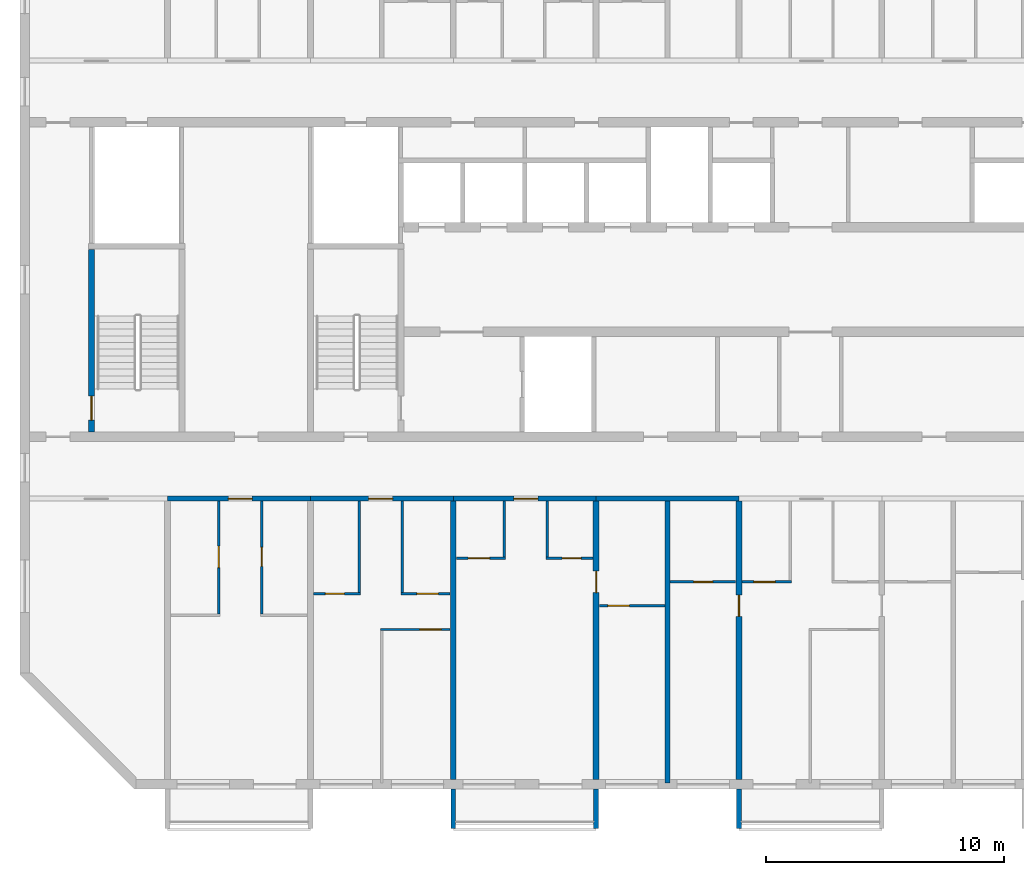
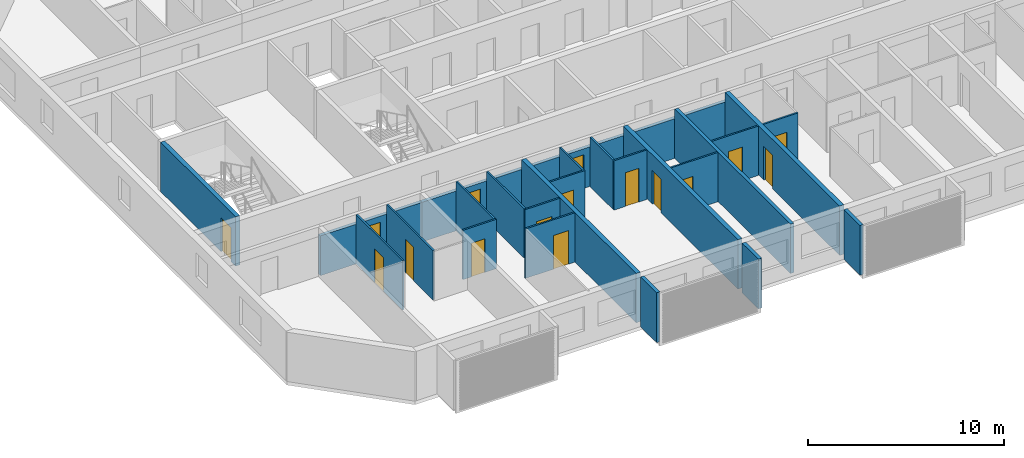
# One storey, part 2 of 26: 26 walls, 16 doors, 16 openings.
"""IFC4 building model written with IfcOpenShell, lengths in metres."""

from ifc_helpers import new_model, si_unit, direction, frame, frame_2d, origin, place, context, subcontext, project, spatial, polyline, rectangle, outline, extrude, source, transform, mapped, material, layer, layer_set, type_object, element, fill, save


model = new_model("IFC4")

# Units and contexts
model_context = context("Model", 3, precision=1e-05, world=origin(), true_north=direction((0.0, 1.0)))
body_context = subcontext(model_context, "Body", "Model", "MODEL_VIEW")
ifc_project = project(units=[si_unit("LENGTHUNIT", "METRE"), si_unit("AREAUNIT", "SQUARE_METRE"), si_unit("VOLUMEUNIT", "CUBIC_METRE"), si_unit("PLANEANGLEUNIT", "RADIAN"), si_unit("MASSUNIT", "GRAM", prefix="KILO")], contexts=[model_context])

# Site, building, storey
site_placement = place(None, origin())
site = spatial("IfcSite", under=ifc_project, at=site_placement, CompositionType="ELEMENT")
building_placement = place(site_placement, origin())
building = spatial("IfcBuilding", under=site, at=building_placement, Name="Poui Terraces", CompositionType="ELEMENT")
storey_placement = place(building_placement, frame((0.0, 0.0, 178.5)))
storey = spatial("IfcBuildingStorey", under=building, at=storey_placement, Name="L49", CompositionType="ELEMENT", Elevation=178.5)

# Wall, opening, door
ifc_material_1 = material(Name="Concrete 50 MPa", Category="concrete")
ifc_layer_1 = layer(ifc_material_1, 0.199951171875)
ifc_layer_set_1 = layer_set([ifc_layer_1], Name="Concrete 50 MPa")
wall_type_1 = type_object("IfcWallType", Name="CORRIDOR WALL 200 50MPa", PredefinedType="SHEAR", material=ifc_layer_set_1)
wall_1_placement = place(storey_placement, frame((24.0, 12.0, 0.0), z_axis=(0.0, 0.0, 1.0), x_axis=(1.0, 0.0, 0.0)))
wall_1 = element("IfcWall", 1, at=wall_1_placement, inside=storey, type_object=wall_type_1, Name="CORRIDOR WALL LINE B BAY 2", PredefinedType="SHEAR", context=body_context, shape_type="SweptSolid", body=[
    extrude(rectangle(XDim=6.0, YDim=0.199951171875, at=frame_2d((3.0, 0.0))), origin(), (0.0, 0.0, 1.0), 2.47998046875),
])
opening_1_placement = place(wall_1_placement, frame((2.550048828125, 0.0, 0.0)))
opening_1 = element("IfcOpeningElement", 2, at=opening_1_placement, cuts=wall_1, Name="Opening FD30S", PredefinedType="OPENING", context=body_context, shape_type="SweptSolid", body=[
    extrude(rectangle(XDim=1.0, YDim=2.10009765625, at=frame_2d((0.5, 1.050048828125))), frame((0.0, 0.10986328125, 0.0), z_axis=(0.0, -1.0, 0.0), x_axis=(1.0, 0.0, 0.0)), (0.0, 0.0, 1.0), 0.219970703125),
])
ifc_material_2 = material(Name="Steel fire door", Category="steel")
door_type_1 = type_object("IfcDoorType", Name="FLAT ENTRANCE DOOR 1000 X 2100", OperationType="NOTDEFINED", PredefinedType="DOOR", material=ifc_material_2)
door_1_placement = place(opening_1_placement, frame((1.0, 0.0, 0.0), z_axis=(0.0, 0.0, 1.0), x_axis=(-1.0, 0.0, 0.0)))
door_1 = element("IfcDoor", 3, at=door_1_placement, inside=storey, type_object=door_type_1, Name="FLAT ENTRANCE DOOR 064", OperationType="SINGLE_SWING_LEFT", OverallHeight=2.10009765625, OverallWidth=1.0, PredefinedType="DOOR", context=body_context, shape_type="SweptSolid", body=[
    extrude(rectangle(XDim=1.0, YDim=2.10009765625, at=frame_2d((0.5, 1.050048828125))), frame((0.0, 0.02490234375, 0.0), z_axis=(0.0, -1.0, 0.0), x_axis=(1.0, 0.0, 0.0)), (0.0, 0.0, 1.0), 0.050048828125),
])
fill(opening_1, door_1)

wall_2_placement = place(storey_placement, frame((30.0, 12.0, 0.0), z_axis=(0.0, 0.0, 1.0), x_axis=(1.0, 0.0, 0.0)))
wall_2 = element("IfcWall", 4, at=wall_2_placement, inside=storey, type_object=wall_type_1, Name="CORRIDOR WALL LINE B BAY 3", PredefinedType="SHEAR", context=body_context, shape_type="SweptSolid", body=[
    extrude(rectangle(XDim=6.0, YDim=0.199951171875, at=frame_2d((3.0, 0.0))), origin(), (0.0, 0.0, 1.0), 2.47998046875),
])
opening_2_placement = place(wall_2_placement, frame((2.449951171875, 0.0, 0.0)))
opening_2 = element("IfcOpeningElement", 5, at=opening_2_placement, cuts=wall_2, Name="Opening FD30S", PredefinedType="OPENING", context=body_context, shape_type="SweptSolid", body=[
    extrude(rectangle(XDim=1.0, YDim=2.10009765625, at=frame_2d((0.5, 1.050048828125))), frame((0.0, 0.10986328125, 0.0), z_axis=(0.0, -1.0, 0.0), x_axis=(1.0, 0.0, 0.0)), (0.0, 0.0, 1.0), 0.219970703125),
])
door_2_placement = place(opening_2_placement, frame((1.0, 0.0, 0.0), z_axis=(0.0, 0.0, 1.0), x_axis=(-1.0, 0.0, 0.0)))
door_2 = element("IfcDoor", 6, at=door_2_placement, inside=storey, type_object=door_type_1, Name="FLAT ENTRANCE DOOR 067", OperationType="SINGLE_SWING_RIGHT", OverallHeight=2.10009765625, OverallWidth=1.0, PredefinedType="DOOR", context=body_context, shape_type="SweptSolid", body=[
    extrude(rectangle(XDim=1.0, YDim=2.10009765625, at=frame_2d((0.5, 1.050048828125))), frame((0.0, 0.02490234375, 0.0), z_axis=(0.0, -1.0, 0.0), x_axis=(1.0, 0.0, 0.0)), (0.0, 0.0, 1.0), 0.050048828125),
])
fill(opening_2, door_2)

wall_3_placement = place(storey_placement, frame((36.0, 12.0, 0.0), z_axis=(0.0, 0.0, 1.0), x_axis=(1.0, 0.0, 0.0)))
wall_3 = element("IfcWall", 7, at=wall_3_placement, inside=storey, type_object=wall_type_1, Name="CORRIDOR WALL LINE B BAY 4", PredefinedType="SHEAR", context=body_context, shape_type="SweptSolid", body=[
    extrude(rectangle(XDim=6.0, YDim=0.199951171875, at=frame_2d((3.0, 0.0))), origin(), (0.0, 0.0, 1.0), 2.47998046875),
])
opening_3_placement = place(wall_3_placement, frame((2.550048828125, 0.0, 0.0)))
opening_3 = element("IfcOpeningElement", 8, at=opening_3_placement, cuts=wall_3, Name="Opening FD30S", PredefinedType="OPENING", context=body_context, shape_type="SweptSolid", body=[
    extrude(rectangle(XDim=1.0, YDim=2.10009765625, at=frame_2d((0.5, 1.050048828125))), frame((0.0, 0.10986328125, 0.0), z_axis=(0.0, -1.0, 0.0), x_axis=(1.0, 0.0, 0.0)), (0.0, 0.0, 1.0), 0.219970703125),
])
door_3_placement = place(opening_3_placement, frame((1.0, 0.0, 0.0), z_axis=(0.0, 0.0, 1.0), x_axis=(-1.0, 0.0, 0.0)))
door_3 = element("IfcDoor", 9, at=door_3_placement, inside=storey, type_object=door_type_1, Name="FLAT ENTRANCE DOOR 072", OperationType="SINGLE_SWING_LEFT", OverallHeight=2.10009765625, OverallWidth=1.0, PredefinedType="DOOR", context=body_context, shape_type="SweptSolid", body=[
    extrude(rectangle(XDim=1.0, YDim=2.10009765625, at=frame_2d((0.5, 1.050048828125))), frame((0.0, 0.02490234375, 0.0), z_axis=(0.0, -1.0, 0.0), x_axis=(1.0, 0.0, 0.0)), (0.0, 0.0, 1.0), 0.050048828125),
])
fill(opening_3, door_3)

# Walls
wall_4_placement = place(storey_placement, frame((42.0, 12.0, 0.0), z_axis=(0.0, 0.0, 1.0), x_axis=(1.0, 0.0, 0.0)))
element("IfcWall", 10, at=wall_4_placement, inside=storey, type_object=wall_type_1, Name="CORRIDOR WALL LINE B BAY 5", PredefinedType="SHEAR", context=body_context, shape_type="SweptSolid", body=[
    extrude(rectangle(XDim=6.0, YDim=0.199951171875, at=frame_2d((3.0, 0.0))), origin(), (0.0, 0.0, 1.0), 2.47998046875),
])
ifc_layer_2 = layer(ifc_material_1, 0.25)
ifc_layer_set_2 = layer_set([ifc_layer_2], Name="Concrete 50 MPa")
wall_type_2 = type_object("IfcWallType", Name="CROSS WALL 250 50MPa", PredefinedType="SHEAR", material=ifc_layer_set_2)
wall_5_placement = place(storey_placement, frame((36.0, 0.199951171875, 0.0), z_axis=(0.0, 0.0, 1.0), x_axis=(0.0, 1.0, 0.0)))
element("IfcWall", 11, at=wall_5_placement, inside=storey, type_object=wall_type_2, Name="CROSS WALL LINE 7 SOUTH", PredefinedType="SHEAR", context=body_context, shape_type="SweptSolid", body=[
    extrude(rectangle(XDim=11.699951171875, YDim=0.25, at=frame_2d((5.85009765625, 0.0))), origin(), (0.0, 0.0, 1.0), 3.080078125),
])

# Wall, opening, door
wall_6_placement = place(storey_placement, frame((42.0, 0.199951171875, 0.0), z_axis=(0.0, 0.0, 1.0), x_axis=(0.0, 1.0, 0.0)))
wall_6 = element("IfcWall", 12, at=wall_6_placement, inside=storey, type_object=wall_type_2, Name="CROSS WALL LINE 8 SOUTH", PredefinedType="SHEAR", context=body_context, shape_type="SweptSolid", body=[
    extrude(rectangle(XDim=11.699951171875, YDim=0.25, at=frame_2d((5.85009765625, 0.0))), origin(), (0.0, 0.0, 1.0), 3.080078125),
])
opening_4_placement = place(wall_6_placement, frame((7.85009765625, 0.0, 0.0)))
opening_4 = element("IfcOpeningElement", 13, at=opening_4_placement, cuts=wall_6, Name="Opening D90", PredefinedType="OPENING", context=body_context, shape_type="SweptSolid", body=[
    extrude(rectangle(XDim=0.89990234375, YDim=2.10009765625, at=frame_2d((0.449951171875, 1.050048828125))), frame((0.0, 0.135009765625, 0.0), z_axis=(0.0, -1.0, 0.0), x_axis=(1.0, 0.0, 0.0)), (0.0, 0.0, 1.0), 0.27001953125),
])
ifc_material_3 = material(Name="Solid core timber door", Category="wood")
door_type_2 = type_object("IfcDoorType", Name="INTERNAL DOOR 900 X 2100", OperationType="NOTDEFINED", PredefinedType="DOOR", material=ifc_material_3)
door_4_placement = place(opening_4_placement, origin())
door_4 = element("IfcDoor", 14, at=door_4_placement, inside=storey, type_object=door_type_2, Name="INTERNAL DOOR 074", OperationType="SINGLE_SWING_RIGHT", OverallHeight=2.10009765625, OverallWidth=0.89990234375, PredefinedType="DOOR", context=body_context, shape_type="SweptSolid", body=[
    extrude(rectangle(XDim=0.89990234375, YDim=2.10009765625, at=frame_2d((0.449951171875, 1.050048828125))), frame((0.0, 0.02490234375, 0.0), z_axis=(0.0, -1.0, 0.0), x_axis=(1.0, 0.0, 0.0)), (0.0, 0.0, 1.0), 0.050048828125),
])
fill(opening_4, door_4)

wall_7_placement = place(storey_placement, frame((48.0, 0.199951171875, 0.0), z_axis=(0.0, 0.0, 1.0), x_axis=(0.0, 1.0, 0.0)))
wall_7 = element("IfcWall", 15, at=wall_7_placement, inside=storey, type_object=wall_type_2, Name="CROSS WALL LINE 9 SOUTH", PredefinedType="SHEAR", context=body_context, shape_type="SweptSolid", body=[
    extrude(rectangle(XDim=11.699951171875, YDim=0.25, at=frame_2d((5.85009765625, 0.0))), origin(), (0.0, 0.0, 1.0), 3.080078125),
])
opening_5_placement = place(wall_7_placement, frame((6.85009765625, 0.0, 0.0)))
opening_5 = element("IfcOpeningElement", 16, at=opening_5_placement, cuts=wall_7, Name="Opening D90", PredefinedType="OPENING", context=body_context, shape_type="SweptSolid", body=[
    extrude(rectangle(XDim=0.89990234375, YDim=2.10009765625, at=frame_2d((0.449951171875, 1.050048828125))), frame((0.0, 0.135009765625, 0.0), z_axis=(0.0, -1.0, 0.0), x_axis=(1.0, 0.0, 0.0)), (0.0, 0.0, 1.0), 0.27001953125),
])
door_5_placement = place(opening_5_placement, origin())
door_5 = element("IfcDoor", 17, at=door_5_placement, inside=storey, type_object=door_type_2, Name="INTERNAL DOOR 077", OperationType="SINGLE_SWING_RIGHT", OverallHeight=2.10009765625, OverallWidth=0.89990234375, PredefinedType="DOOR", context=body_context, shape_type="SweptSolid", body=[
    extrude(rectangle(XDim=0.89990234375, YDim=2.10009765625, at=frame_2d((0.449951171875, 1.050048828125))), frame((0.0, 0.02490234375, 0.0), z_axis=(0.0, -1.0, 0.0), x_axis=(1.0, 0.0, 0.0)), (0.0, 0.0, 1.0), 0.050048828125),
])
fill(opening_5, door_5)

ifc_material_4 = material(Name="Plasterboard partition")
ifc_layer_3 = layer(ifc_material_4, 0.10009765625)
ifc_layer_set_3 = layer_set([ifc_layer_3], Name="Plasterboard partition")
wall_type_3 = type_object("IfcWallType", Name="FLAT PARTITION 100", PredefinedType="PARTITIONING", material=ifc_layer_set_3)
wall_8_placement = place(storey_placement, frame((32.949951171875, 6.5, 0.0), z_axis=(0.0, 0.0, 1.0), x_axis=(1.0, 0.0, 0.0)))
wall_8 = element("IfcWall", 18, at=wall_8_placement, inside=storey, type_object=wall_type_3, Name="FLAT PARTITION 100", PredefinedType="PARTITIONING", context=body_context, shape_type="SweptSolid", body=[
    extrude(rectangle(XDim=2.9150390625, YDim=0.10009765625, at=frame_2d((1.45751953125, 0.0))), origin(), (0.0, 0.0, 1.0), 3.080078125),
])
opening_6_placement = place(wall_8_placement, frame((1.64990234375, 0.0, 0.0)))
opening_6 = element("IfcOpeningElement", 19, at=opening_6_placement, cuts=wall_8, Name="Opening D90", PredefinedType="OPENING", context=body_context, shape_type="SweptSolid", body=[
    extrude(rectangle(XDim=0.89990234375, YDim=2.10009765625, at=frame_2d((0.449951171875, 1.050048828125))), frame((0.0, 0.06005859375, 0.0), z_axis=(0.0, -1.0, 0.0), x_axis=(1.0, 0.0, 0.0)), (0.0, 0.0, 1.0), 0.1201171875),
])
door_6_placement = place(opening_6_placement, origin())
door_6 = element("IfcDoor", 20, at=door_6_placement, inside=storey, type_object=door_type_2, Name="INTERNAL DOOR 069", OperationType="SINGLE_SWING_LEFT", OverallHeight=2.10009765625, OverallWidth=0.89990234375, PredefinedType="DOOR", context=body_context, shape_type="SweptSolid", body=[
    extrude(rectangle(XDim=0.89990234375, YDim=2.10009765625, at=frame_2d((0.449951171875, 1.050048828125))), frame((0.0, 0.02490234375, 0.0), z_axis=(0.0, -1.0, 0.0), x_axis=(1.0, 0.0, 0.0)), (0.0, 0.0, 1.0), 0.050048828125),
])
fill(opening_6, door_6)

wall_9_placement = place(storey_placement, frame((42.135009765625, 7.5, 0.0), z_axis=(0.0, 0.0, 1.0), x_axis=(1.0, 0.0, 0.0)))
wall_9 = element("IfcWall", 21, at=wall_9_placement, inside=storey, type_object=wall_type_3, Name="FLAT PARTITION 100", PredefinedType="PARTITIONING", context=body_context, shape_type="SweptSolid", body=[
    extrude(rectangle(XDim=2.764892578125, YDim=0.10009765625, at=frame_2d((1.38232421875, 0.0))), origin(), (0.0, 0.0, 1.0), 3.080078125),
])
opening_7_placement = place(wall_9_placement, frame((0.364990234375, 0.0, 0.0)))
opening_7 = element("IfcOpeningElement", 22, at=opening_7_placement, cuts=wall_9, Name="Opening D90", PredefinedType="OPENING", context=body_context, shape_type="SweptSolid", body=[
    extrude(rectangle(XDim=0.89990234375, YDim=2.10009765625, at=frame_2d((0.449951171875, 1.050048828125))), frame((0.0, 0.06005859375, 0.0), z_axis=(0.0, -1.0, 0.0), x_axis=(1.0, 0.0, 0.0)), (0.0, 0.0, 1.0), 0.1201171875),
])
door_7_placement = place(opening_7_placement, frame((0.89990234375, 0.0, 0.0), z_axis=(0.0, 0.0, 1.0), x_axis=(-1.0, 0.0, 0.0)))
door_7 = element("IfcDoor", 23, at=door_7_placement, inside=storey, type_object=door_type_2, Name="INTERNAL DOOR 070", OperationType="SINGLE_SWING_RIGHT", OverallHeight=2.10009765625, OverallWidth=0.89990234375, PredefinedType="DOOR", context=body_context, shape_type="SweptSolid", body=[
    extrude(rectangle(XDim=0.89990234375, YDim=2.10009765625, at=frame_2d((0.449951171875, 1.050048828125))), frame((0.0, 0.02490234375, 0.0), z_axis=(0.0, -1.0, 0.0), x_axis=(1.0, 0.0, 0.0)), (0.0, 0.0, 1.0), 0.050048828125),
])
fill(opening_7, door_7)

wall_10_placement = place(storey_placement, frame((30.135009765625, 8.0, 0.0), z_axis=(0.0, 0.0, 1.0), x_axis=(1.0, 0.0, 0.0)))
wall_10 = element("IfcWall", 24, at=wall_10_placement, inside=storey, type_object=wall_type_3, Name="FLAT PARTITION 100", PredefinedType="PARTITIONING", context=body_context, shape_type="SweptSolid", body=[
    extrude(rectangle(XDim=1.965087890625, YDim=0.10009765625, at=frame_2d((0.982421875, 0.0))), origin(), (0.0, 0.0, 1.0), 3.080078125),
])
opening_8_placement = place(wall_10_placement, frame((0.489990234375, 0.0, 0.0)))
opening_8 = element("IfcOpeningElement", 25, at=opening_8_placement, cuts=wall_10, Name="Opening D80", PredefinedType="OPENING", context=body_context, shape_type="SweptSolid", body=[
    extrude(rectangle(XDim=0.800048828125, YDim=2.10009765625, at=frame_2d((0.39990234375, 1.050048828125))), frame((0.0, 0.06005859375, 0.0), z_axis=(0.0, -1.0, 0.0), x_axis=(1.0, 0.0, 0.0)), (0.0, 0.0, 1.0), 0.1201171875),
])
door_type_3 = type_object("IfcDoorType", Name="BATHROOM, LAUNDRY AND STORE DOOR 800 X 2100", OperationType="NOTDEFINED", PredefinedType="DOOR", material=ifc_material_3)
door_8_placement = place(opening_8_placement, origin())
door_8 = element("IfcDoor", 26, at=door_8_placement, inside=storey, type_object=door_type_3, Name="BATHROOM, LAUNDRY AND STORE DOOR 066", OperationType="SINGLE_SWING_LEFT", OverallHeight=2.10009765625, OverallWidth=0.800048828125, PredefinedType="DOOR", context=body_context, shape_type="SweptSolid", body=[
    extrude(rectangle(XDim=0.800048828125, YDim=2.10009765625, at=frame_2d((0.39990234375, 1.050048828125))), frame((0.0, 0.02490234375, 0.0), z_axis=(0.0, -1.0, 0.0), x_axis=(1.0, 0.0, 0.0)), (0.0, 0.0, 1.0), 0.050048828125),
])
fill(opening_8, door_8)

wall_11_placement = place(storey_placement, frame((33.800048828125, 8.0, 0.0), z_axis=(0.0, 0.0, 1.0), x_axis=(1.0, 0.0, 0.0)))
wall_11 = element("IfcWall", 27, at=wall_11_placement, inside=storey, type_object=wall_type_3, Name="FLAT PARTITION 100", PredefinedType="PARTITIONING", context=body_context, shape_type="SweptSolid", body=[
    extrude(rectangle(XDim=2.06494140625, YDim=0.10009765625, at=frame_2d((1.032470703125, 0.0))), origin(), (0.0, 0.0, 1.0), 3.080078125),
])
opening_9_placement = place(wall_11_placement, frame((0.675048828125, 0.0, 0.0)))
opening_9 = element("IfcOpeningElement", 28, at=opening_9_placement, cuts=wall_11, Name="Opening D90", PredefinedType="OPENING", context=body_context, shape_type="SweptSolid", body=[
    extrude(rectangle(XDim=0.89990234375, YDim=2.10009765625, at=frame_2d((0.449951171875, 1.050048828125))), frame((0.0, 0.06005859375, 0.0), z_axis=(0.0, -1.0, 0.0), x_axis=(1.0, 0.0, 0.0)), (0.0, 0.0, 1.0), 0.1201171875),
])
door_9_placement = place(opening_9_placement, origin())
door_9 = element("IfcDoor", 29, at=door_9_placement, inside=storey, type_object=door_type_2, Name="INTERNAL DOOR 068", OperationType="SINGLE_SWING_RIGHT", OverallHeight=2.10009765625, OverallWidth=0.89990234375, PredefinedType="DOOR", context=body_context, shape_type="SweptSolid", body=[
    extrude(rectangle(XDim=0.89990234375, YDim=2.10009765625, at=frame_2d((0.449951171875, 1.050048828125))), frame((0.0, 0.02490234375, 0.0), z_axis=(0.0, -1.0, 0.0), x_axis=(1.0, 0.0, 0.0)), (0.0, 0.0, 1.0), 0.050048828125),
])
fill(opening_9, door_9)

wall_12_placement = place(storey_placement, frame((45.10009765625, 8.5, 0.0), z_axis=(0.0, 0.0, 1.0), x_axis=(1.0, 0.0, 0.0)))
wall_12 = element("IfcWall", 30, at=wall_12_placement, inside=storey, type_object=wall_type_3, Name="FLAT PARTITION 100", PredefinedType="PARTITIONING", context=body_context, shape_type="SweptSolid", body=[
    extrude(rectangle(XDim=2.764892578125, YDim=0.10009765625, at=frame_2d((1.38232421875, 0.0))), origin(), (0.0, 0.0, 1.0), 3.080078125),
])
opening_10_placement = place(wall_12_placement, frame((1.0, 0.0, 0.0)))
opening_10 = element("IfcOpeningElement", 31, at=opening_10_placement, cuts=wall_12, Name="Opening D80", PredefinedType="OPENING", context=body_context, shape_type="SweptSolid", body=[
    extrude(rectangle(XDim=0.800048828125, YDim=2.10009765625, at=frame_2d((0.39990234375, 1.050048828125))), frame((0.0, 0.06005859375, 0.0), z_axis=(0.0, -1.0, 0.0), x_axis=(1.0, 0.0, 0.0)), (0.0, 0.0, 1.0), 0.1201171875),
])
door_10_placement = place(opening_10_placement, origin())
door_10 = element("IfcDoor", 32, at=door_10_placement, inside=storey, type_object=door_type_3, Name="BATHROOM, LAUNDRY AND STORE DOOR 075", OperationType="SINGLE_SWING_LEFT", OverallHeight=2.10009765625, OverallWidth=0.800048828125, PredefinedType="DOOR", context=body_context, shape_type="SweptSolid", body=[
    extrude(rectangle(XDim=0.800048828125, YDim=2.10009765625, at=frame_2d((0.39990234375, 1.050048828125))), frame((0.0, 0.02490234375, 0.0), z_axis=(0.0, -1.0, 0.0), x_axis=(1.0, 0.0, 0.0)), (0.0, 0.0, 1.0), 0.050048828125),
])
fill(opening_10, door_10)

wall_13_placement = place(storey_placement, frame((48.135009765625, 8.5, 0.0), z_axis=(0.0, 0.0, 1.0), x_axis=(1.0, 0.0, 0.0)))
wall_13 = element("IfcWall", 33, at=wall_13_placement, inside=storey, type_object=wall_type_3, Name="FLAT PARTITION 100", PredefinedType="PARTITIONING", context=body_context, shape_type="SweptSolid", body=[
    extrude(rectangle(XDim=2.06494140625, YDim=0.10009765625, at=frame_2d((1.032470703125, 0.0))), origin(), (0.0, 0.0, 1.0), 3.080078125),
])
opening_11_placement = place(wall_13_placement, frame((0.489990234375, 0.0, 0.0)))
opening_11 = element("IfcOpeningElement", 34, at=opening_11_placement, cuts=wall_13, Name="Opening D90", PredefinedType="OPENING", context=body_context, shape_type="SweptSolid", body=[
    extrude(rectangle(XDim=0.89990234375, YDim=2.10009765625, at=frame_2d((0.449951171875, 1.050048828125))), frame((0.0, 0.06005859375, 0.0), z_axis=(0.0, -1.0, 0.0), x_axis=(1.0, 0.0, 0.0)), (0.0, 0.0, 1.0), 0.1201171875),
])
door_11_placement = place(opening_11_placement, origin())
door_11 = element("IfcDoor", 35, at=door_11_placement, inside=storey, type_object=door_type_2, Name="INTERNAL DOOR 078", OperationType="SINGLE_SWING_LEFT", OverallHeight=2.10009765625, OverallWidth=0.89990234375, PredefinedType="DOOR", context=body_context, shape_type="SweptSolid", body=[
    extrude(rectangle(XDim=0.89990234375, YDim=2.10009765625, at=frame_2d((0.449951171875, 1.050048828125))), frame((0.0, 0.02490234375, 0.0), z_axis=(0.0, -1.0, 0.0), x_axis=(1.0, 0.0, 0.0)), (0.0, 0.0, 1.0), 0.050048828125),
])
fill(opening_11, door_11)

wall_14_placement = place(storey_placement, frame((36.135009765625, 9.5, 0.0), z_axis=(0.0, 0.0, 1.0), x_axis=(1.0, 0.0, 0.0)))
wall_14 = element("IfcWall", 36, at=wall_14_placement, inside=storey, type_object=wall_type_3, Name="FLAT PARTITION 100", PredefinedType="PARTITIONING", context=body_context, shape_type="SweptSolid", body=[
    extrude(rectangle(XDim=2.06494140625, YDim=0.10009765625, at=frame_2d((1.032470703125, 0.0))), origin(), (0.0, 0.0, 1.0), 3.080078125),
])
opening_12_placement = place(wall_14_placement, frame((0.489990234375, 0.0, 0.0)))
opening_12 = element("IfcOpeningElement", 37, at=opening_12_placement, cuts=wall_14, Name="Opening D90", PredefinedType="OPENING", context=body_context, shape_type="SweptSolid", body=[
    extrude(rectangle(XDim=0.89990234375, YDim=2.10009765625, at=frame_2d((0.449951171875, 1.050048828125))), frame((0.0, 0.06005859375, 0.0), z_axis=(0.0, -1.0, 0.0), x_axis=(1.0, 0.0, 0.0)), (0.0, 0.0, 1.0), 0.1201171875),
])
door_12_placement = place(opening_12_placement, origin())
door_12 = element("IfcDoor", 38, at=door_12_placement, inside=storey, type_object=door_type_2, Name="INTERNAL DOOR 071", OperationType="SINGLE_SWING_LEFT", OverallHeight=2.10009765625, OverallWidth=0.89990234375, PredefinedType="DOOR", context=body_context, shape_type="SweptSolid", body=[
    extrude(rectangle(XDim=0.89990234375, YDim=2.10009765625, at=frame_2d((0.449951171875, 1.050048828125))), frame((0.0, 0.02490234375, 0.0), z_axis=(0.0, -1.0, 0.0), x_axis=(1.0, 0.0, 0.0)), (0.0, 0.0, 1.0), 0.050048828125),
])
fill(opening_12, door_12)

wall_15_placement = place(storey_placement, frame((39.89990234375, 9.5, 0.0), z_axis=(0.0, 0.0, 1.0), x_axis=(1.0, 0.0, 0.0)))
wall_15 = element("IfcWall", 39, at=wall_15_placement, inside=storey, type_object=wall_type_3, Name="FLAT PARTITION 100", PredefinedType="PARTITIONING", context=body_context, shape_type="SweptSolid", body=[
    extrude(rectangle(XDim=1.965087890625, YDim=0.10009765625, at=frame_2d((0.982421875, 0.0))), origin(), (0.0, 0.0, 1.0), 3.080078125),
])
opening_13_placement = place(wall_15_placement, frame((0.675048828125, 0.0, 0.0)))
opening_13 = element("IfcOpeningElement", 40, at=opening_13_placement, cuts=wall_15, Name="Opening D80", PredefinedType="OPENING", context=body_context, shape_type="SweptSolid", body=[
    extrude(rectangle(XDim=0.800048828125, YDim=2.10009765625, at=frame_2d((0.39990234375, 1.050048828125))), frame((0.0, 0.06005859375, 0.0), z_axis=(0.0, -1.0, 0.0), x_axis=(1.0, 0.0, 0.0)), (0.0, 0.0, 1.0), 0.1201171875),
])
door_13_placement = place(opening_13_placement, origin())
door_13 = element("IfcDoor", 41, at=door_13_placement, inside=storey, type_object=door_type_3, Name="BATHROOM, LAUNDRY AND STORE DOOR 073", OperationType="SINGLE_SWING_RIGHT", OverallHeight=2.10009765625, OverallWidth=0.800048828125, PredefinedType="DOOR", context=body_context, shape_type="SweptSolid", body=[
    extrude(rectangle(XDim=0.800048828125, YDim=2.10009765625, at=frame_2d((0.39990234375, 1.050048828125))), frame((0.0, 0.02490234375, 0.0), z_axis=(0.0, -1.0, 0.0), x_axis=(1.0, 0.0, 0.0)), (0.0, 0.0, 1.0), 0.050048828125),
])
fill(opening_13, door_13)

wall_16_placement = place(storey_placement, frame((26.14990234375, 7.14990234375, 0.0), z_axis=(0.0, 0.0, 1.0), x_axis=(0.0, 1.0, 0.0)))
wall_16 = element("IfcWall", 42, at=wall_16_placement, inside=storey, type_object=wall_type_3, Name="FLAT PARTITION 100", PredefinedType="PARTITIONING", context=body_context, shape_type="SweptSolid", body=[
    extrude(rectangle(XDim=4.739990234375, YDim=0.10009765625, at=frame_2d((2.3701171875, 0.0))), origin(), (0.0, 0.0, 1.0), 3.080078125),
])
opening_14_placement = place(wall_16_placement, frame((1.949951171875, 0.0, 0.0)))
opening_14 = element("IfcOpeningElement", 43, at=opening_14_placement, cuts=wall_16, Name="Opening D90", PredefinedType="OPENING", context=body_context, shape_type="SweptSolid", body=[
    extrude(rectangle(XDim=0.89990234375, YDim=2.10009765625, at=frame_2d((0.449951171875, 1.050048828125))), frame((0.0, 0.06005859375, 0.0), z_axis=(0.0, -1.0, 0.0), x_axis=(1.0, 0.0, 0.0)), (0.0, 0.0, 1.0), 0.1201171875),
])
door_14_placement = place(opening_14_placement, origin())
door_14 = element("IfcDoor", 44, at=door_14_placement, inside=storey, type_object=door_type_2, Name="INTERNAL DOOR 063", OperationType="SINGLE_SWING_LEFT", OverallHeight=2.10009765625, OverallWidth=0.89990234375, PredefinedType="DOOR", context=body_context, shape_type="SweptSolid", body=[
    extrude(rectangle(XDim=0.89990234375, YDim=2.10009765625, at=frame_2d((0.449951171875, 1.050048828125))), frame((0.0, 0.02490234375, 0.0), z_axis=(0.0, -1.0, 0.0), x_axis=(1.0, 0.0, 0.0)), (0.0, 0.0, 1.0), 0.050048828125),
])
fill(opening_14, door_14)

wall_17_placement = place(storey_placement, frame((27.949951171875, 7.14990234375, 0.0), z_axis=(0.0, 0.0, 1.0), x_axis=(0.0, 1.0, 0.0)))
wall_17 = element("IfcWall", 45, at=wall_17_placement, inside=storey, type_object=wall_type_3, Name="FLAT PARTITION 100", PredefinedType="PARTITIONING", context=body_context, shape_type="SweptSolid", body=[
    extrude(rectangle(XDim=4.739990234375, YDim=0.10009765625, at=frame_2d((2.3701171875, 0.0))), origin(), (0.0, 0.0, 1.0), 3.080078125),
])
opening_15_placement = place(wall_17_placement, frame((2.0, 0.0, 0.0)))
opening_15 = element("IfcOpeningElement", 46, at=opening_15_placement, cuts=wall_17, Name="Opening D80", PredefinedType="OPENING", context=body_context, shape_type="SweptSolid", body=[
    extrude(rectangle(XDim=0.800048828125, YDim=2.10009765625, at=frame_2d((0.39990234375, 1.050048828125))), frame((0.0, 0.06005859375, 0.0), z_axis=(0.0, -1.0, 0.0), x_axis=(1.0, 0.0, 0.0)), (0.0, 0.0, 1.0), 0.1201171875),
])
door_15_placement = place(opening_15_placement, frame((0.800048828125, 0.0, 0.0), z_axis=(0.0, 0.0, 1.0), x_axis=(-1.0, 0.0, 0.0)))
door_15 = element("IfcDoor", 47, at=door_15_placement, inside=storey, type_object=door_type_3, Name="BATHROOM, LAUNDRY AND STORE DOOR 065", OperationType="SINGLE_SWING_LEFT", OverallHeight=2.10009765625, OverallWidth=0.800048828125, PredefinedType="DOOR", context=body_context, shape_type="SweptSolid", body=[
    extrude(rectangle(XDim=0.800048828125, YDim=2.10009765625, at=frame_2d((0.39990234375, 1.050048828125))), frame((0.0, 0.02490234375, 0.0), z_axis=(0.0, -1.0, 0.0), x_axis=(1.0, 0.0, 0.0)), (0.0, 0.0, 1.0), 0.050048828125),
])
fill(opening_15, door_15)

# Walls
for number, where, z_axis, x_axis, name in (
    (48, (32.050048828125, 8.050048828125, 0.0), (0.0, 0.0, 1.0), (0.0, 1.0, 0.0), "FLAT PARTITION 100"),
    (49, (33.85009765625, 8.050048828125, 0.0), (0.0, 0.0, 1.0), (0.0, 1.0, 0.0), "FLAT PARTITION 100"),
):
    element("IfcWall", number, at=place(storey_placement, frame(where, z_axis=z_axis, x_axis=x_axis)), inside=storey, type_object=wall_type_3, Name=name, PredefinedType="PARTITIONING", context=body_context, shape_type="SweptSolid", body=[
        extrude(rectangle(XDim=3.83984375, YDim=0.10009765625, at=frame_2d((1.919921875, 0.0))), origin(), (0.0, 0.0, 1.0), 3.080078125),
    ])
for number, where, z_axis, x_axis, name in (
    (50, (38.14990234375, 9.550048828125, 0.0), (0.0, 0.0, 1.0), (0.0, 1.0, 0.0), "FLAT PARTITION 100"),
    (51, (39.949951171875, 9.550048828125, 0.0), (0.0, 0.0, 1.0), (0.0, 1.0, 0.0), "FLAT PARTITION 100"),
):
    element("IfcWall", number, at=place(storey_placement, frame(where, z_axis=z_axis, x_axis=x_axis)), inside=storey, type_object=wall_type_3, Name=name, PredefinedType="PARTITIONING", context=body_context, shape_type="SweptSolid", body=[
        extrude(rectangle(XDim=2.33984375, YDim=0.10009765625, at=frame_2d((1.169921875, 0.0))), origin(), (0.0, 0.0, 1.0), 3.080078125),
    ])
ifc_material_5 = material(Name="Fire-rated masonry wall", Category="masonry")
ifc_layer_4 = layer(ifc_material_5, 0.199951171875)
ifc_layer_set_4 = layer_set([ifc_layer_4], Name="Fire-rated masonry wall")
wall_type_4 = type_object("IfcWallType", Name="FLAT PARTY WALL 200", PredefinedType="PARTITIONING", material=ifc_layer_set_4)
wall_18_placement = place(storey_placement, frame((45.0, 0.06005859375, 0.0), z_axis=(0.0, 0.0, 1.0), x_axis=(0.0, 1.0, 0.0)))
element("IfcWall", 52, at=wall_18_placement, inside=storey, type_object=wall_type_4, Name="FLAT PARTY WALL 200", PredefinedType="PARTITIONING", context=body_context, shape_type="SweptSolid", body=[
    extrude(rectangle(XDim=11.829833984375, YDim=0.199951171875, at=frame_2d((5.9150390625, 0.0))), origin(), (0.0, 0.0, 1.0), 3.080078125),
])

# Wall, opening, door
ifc_layer_5 = layer(ifc_material_1, 0.25)
ifc_layer_set_5 = layer_set([ifc_layer_5], Name="Concrete 50 MPa")
wall_type_5 = type_object("IfcWallType", Name="STAIR CORE WALL 250 50 MPA", PredefinedType="SOLIDWALL", material=ifc_layer_set_5)
wall_19_placement = place(storey_placement, frame((20.800048828125, 14.800048828125, 0.0), z_axis=(0.0, 0.0, 1.0), x_axis=(0.0, 1.0, 0.0)))
wall_19 = element("IfcWall", 53, at=wall_19_placement, inside=storey, type_object=wall_type_5, Name="STAIR CORE WALL", PredefinedType="SOLIDWALL", context=body_context, shape_type="SweptSolid", body=[
    extrude(rectangle(XDim=7.675048828125, YDim=0.25, at=frame_2d((3.83740234375, 0.0))), origin(), (0.0, 0.0, 1.0), 3.080078125),
])
opening_16_placement = place(wall_19_placement, frame((0.5, 0.0, 0.0)))
opening_16 = element("IfcOpeningElement", 54, at=opening_16_placement, cuts=wall_19, Name="Opening FD60S", PredefinedType="OPENING", context=body_context, shape_type="SweptSolid", body=[
    extrude(rectangle(XDim=1.0, YDim=2.10009765625, at=frame_2d((0.5, 1.050048828125))), frame((0.0, 0.135009765625, 0.0), z_axis=(0.0, -1.0, 0.0), x_axis=(1.0, 0.0, 0.0)), (0.0, 0.0, 1.0), 0.27001953125),
])
door_type_4 = type_object("IfcDoorType", Name="STAIR DOOR 1000 X 2100", OperationType="NOTDEFINED", PredefinedType="DOOR", material=ifc_material_2)
door_16_placement = place(opening_16_placement, frame((1.0, 0.0, 0.0), z_axis=(0.0, 0.0, 1.0), x_axis=(-1.0, 0.0, 0.0)))
door_16 = element("IfcDoor", 55, at=door_16_placement, inside=storey, type_object=door_type_4, Name="STAIR DOOR 111", OperationType="SINGLE_SWING_RIGHT", OverallHeight=2.10009765625, OverallWidth=1.0, PredefinedType="DOOR", context=body_context, shape_type="SweptSolid", body=[
    extrude(rectangle(XDim=1.0, YDim=2.10009765625, at=frame_2d((0.5, 1.050048828125))), frame((0.0, 0.02490234375, 0.0), z_axis=(0.0, -1.0, 0.0), x_axis=(1.0, 0.0, 0.0)), (0.0, 0.0, 1.0), 0.050048828125),
])
fill(opening_16, door_16)

# Walls
ifc_material_6 = material(Name="Precast concrete 40 MPa", Category="concrete")
ifc_layer_6 = layer(ifc_material_6, 0.199951171875)
ifc_layer_set_6 = layer_set([ifc_layer_6], Name="Precast concrete 40 MPa")
wall_type_6 = type_object("IfcWallType", Name="REAR FIN 200", PredefinedType="STANDARD", material=ifc_layer_set_6)
shared_shape = source(origin(), body_context, "Body", "SweptSolid", [
    extrude(outline(polyline([(0.0, 0.0), (0.2001953125, 0.0), (0.2001953125, 1.650146484375), (0.0, 1.650146484375), (0.0, 0.0)])), origin(), (0.0, 0.0, 1.0), 3.10009765625),
])
for number, where, name in (
    (56, (35.89990234375, -1.85009765625, 0.0), "REAR FIN"),
    (57, (41.89990234375, -1.85009765625, 0.0), "REAR FIN"),
    (58, (47.89990234375, -1.85009765625, 0.0), "REAR FIN"),
):
    element("IfcWall", number, at=place(storey_placement, frame(where)), inside=storey, type_object=wall_type_6, Name=name, PredefinedType="STANDARD", context=body_context, shape_type="MappedRepresentation", body=[
        mapped(shared_shape, transform((0.0, 0.0, 0.0))),
    ])

save(model, "model.ifc")
